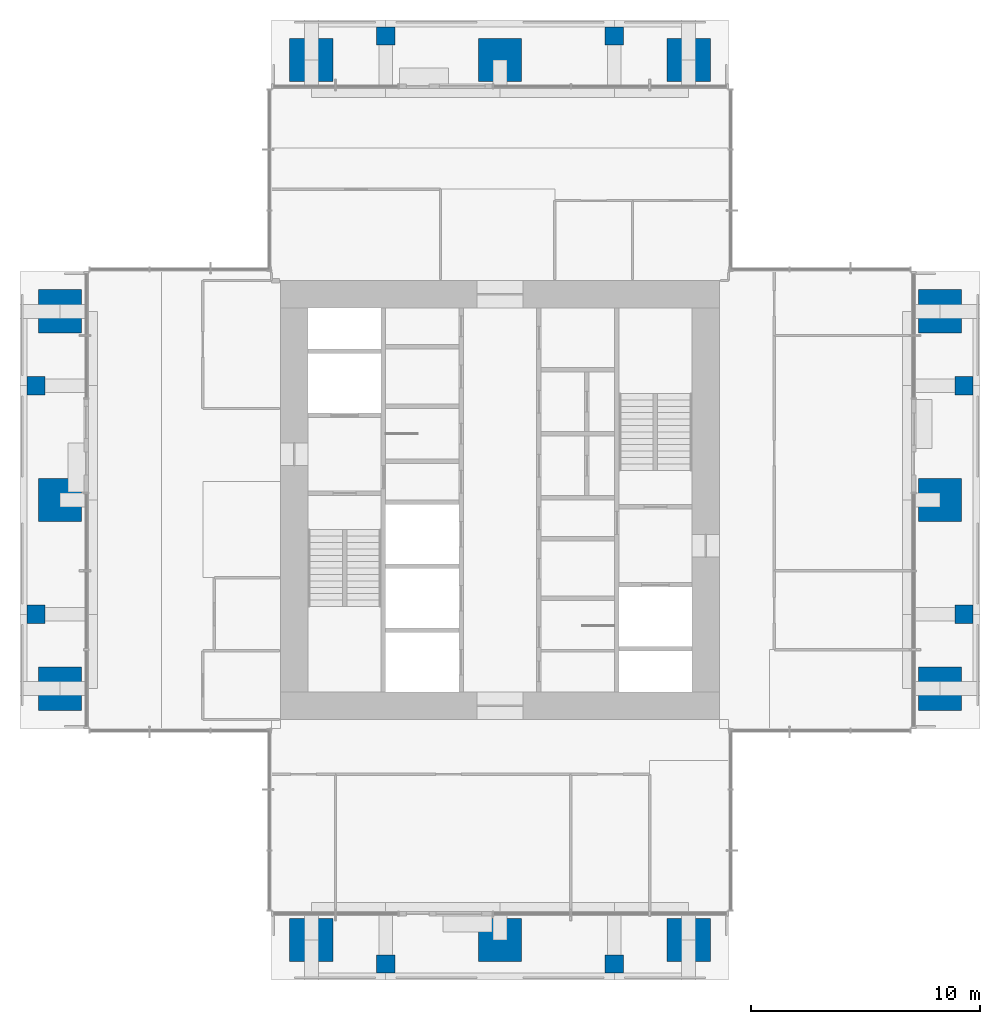
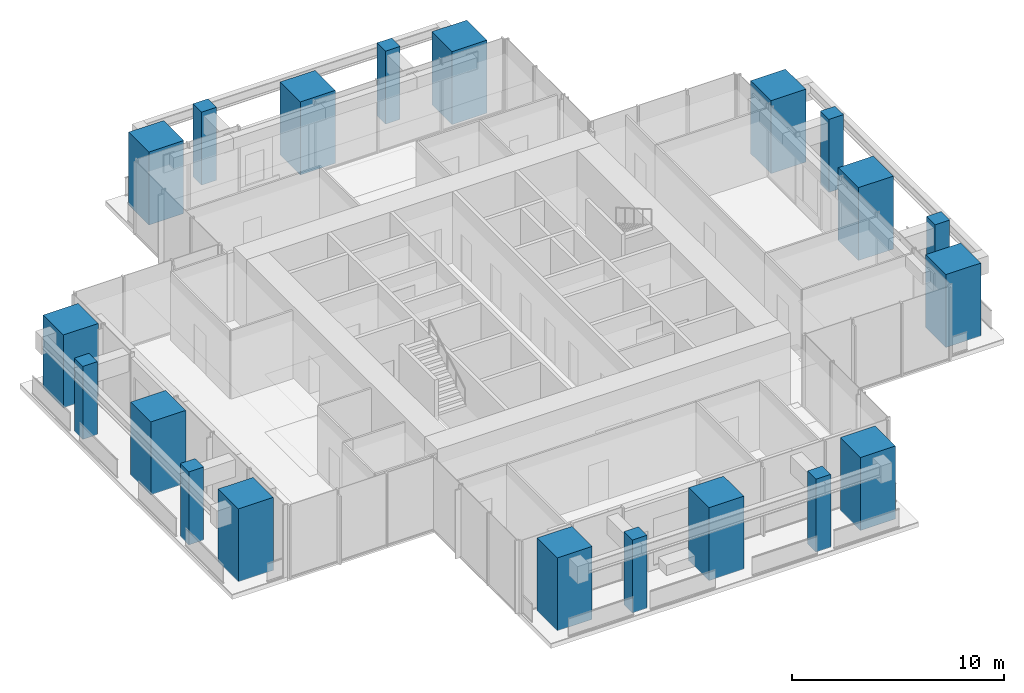
# One storey, part 1 of 12: 20 columns.
"""IFC4 building model written with IfcOpenShell, lengths in metres."""

from ifc_helpers import new_model, si_unit, direction, frame, origin, origin_2d, place, context, subcontext, project, spatial, rectangle, extrude, material, material_profile, profile_set, type_object, element, save


model = new_model("IFC4")

# Units and contexts
model_context = context("Model", 3, precision=1e-05, world=origin(), true_north=direction((0.0, 1.0)))
body_context = subcontext(model_context, "Body", "Model", "MODEL_VIEW")
ifc_project = project(units=[si_unit("LENGTHUNIT", "METRE"), si_unit("AREAUNIT", "SQUARE_METRE"), si_unit("VOLUMEUNIT", "CUBIC_METRE"), si_unit("PLANEANGLEUNIT", "RADIAN"), si_unit("MASSUNIT", "GRAM", prefix="KILO")], contexts=[model_context])

# Site, building, storey
site_placement = place(None, origin())
site = spatial("IfcSite", under=ifc_project, at=site_placement, CompositionType="ELEMENT")
building_placement = place(site_placement, origin())
building = spatial("IfcBuilding", under=site, at=building_placement, Name="Svetlomir Tower", CompositionType="ELEMENT")
storey_placement = place(building_placement, frame((0.0, 0.0, 248.199951171875)))
storey = spatial("IfcBuildingStorey", under=building, at=storey_placement, Name="L59", CompositionType="ELEMENT", Elevation=248.199951171875)

# Columns
ifc_material_1 = material(Name="Concrete C60/75", Category="concrete")
ifc_material_profile_1 = material_profile(ifc_material_1, rectangle(XDim=1.89990234375, YDim=1.89990234375, at=origin_2d()), Name="RC 1900x1900")
ifc_profile_set_1 = profile_set([ifc_material_profile_1], Name="Concrete C60/75")
column_type_1 = type_object("IfcColumnType", Name="COLUMN RC 1900x1900", PredefinedType="COLUMN", material=ifc_profile_set_1)
for number, where, z_axis, x_axis, name in (
    (1, (12.75, 1.75, 0.0), (0.0, 0.0, 1.0), (1.0, 0.0, 0.0), "Column 11/0 L59"),
    (2, (21.0, 1.75, 0.0), (0.0, 0.0, 1.0), (1.0, 0.0, 0.0), "Column 21/0 L59"),
    (3, (29.25, 1.75, 0.0), (0.0, 0.0, 1.0), (1.0, 0.0, 0.0), "Column 31/0 L59"),
    (4, (1.75, 12.75, 0.0), (0.0, 0.0, 1.0), (1.0, 0.0, 0.0), "Column 0/11 L59"),
    (5, (40.25, 12.75, 0.0), (0.0, 0.0, 1.0), (1.0, 0.0, 0.0), "Column 42/11 L59"),
    (6, (1.75, 21.0, 0.0), (0.0, 0.0, 1.0), (1.0, 0.0, 0.0), "Column 0/21 L59"),
    (7, (40.25, 21.0, 0.0), (0.0, 0.0, 1.0), (1.0, 0.0, 0.0), "Column 42/21 L59"),
    (8, (1.75, 29.25, 0.0), (0.0, 0.0, 1.0), (1.0, 0.0, 0.0), "Column 0/31 L59"),
    (9, (40.25, 29.25, 0.0), (0.0, 0.0, 1.0), (1.0, 0.0, 0.0), "Column 42/31 L59"),
    (10, (12.75, 40.25, 0.0), (0.0, 0.0, 1.0), (1.0, 0.0, 0.0), "Column 11/42 L59"),
    (11, (21.0, 40.25, 0.0), (0.0, 0.0, 1.0), (1.0, 0.0, 0.0), "Column 21/42 L59"),
    (12, (29.25, 40.25, 0.0), (0.0, 0.0, 1.0), (1.0, 0.0, 0.0), "Column 31/42 L59"),
):
    element("IfcColumn", number, at=place(storey_placement, frame(where, z_axis=z_axis, x_axis=x_axis)), inside=storey, type_object=column_type_1, Name=name, PredefinedType="COLUMN", context=body_context, shape_type="SweptSolid", body=[
        extrude(rectangle(XDim=1.89990234375, YDim=1.89990234375, at=origin_2d()), origin(), (0.0, 0.0, 1.0), 4.199951171875),
    ])
ifc_material_2 = material(Name="Concrete C60/75", Category="concrete")
ifc_material_profile_2 = material_profile(ifc_material_2, rectangle(XDim=0.800048828125, YDim=0.800048828125, at=origin_2d()), Name="RC 800x800")
ifc_profile_set_2 = profile_set([ifc_material_profile_2], Name="Concrete C60/75")
column_type_2 = type_object("IfcColumnType", Name="COLUMN RC 800x800", PredefinedType="COLUMN", material=ifc_profile_set_2)
for number, where, z_axis, x_axis, name in (
    (13, (16.0, 0.699951171875, 0.0), (0.0, 0.0, 1.0), (1.0, 0.0, 0.0), "Column 16/0 L59"),
    (14, (26.0, 0.699951171875, 0.0), (0.0, 0.0, 1.0), (1.0, 0.0, 0.0), "Column 26/0 L59"),
    (15, (0.699951171875, 16.0, 0.0), (0.0, 0.0, 1.0), (1.0, 0.0, 0.0), "Column 0/16 L59"),
    (16, (41.300048828125, 16.0, 0.0), (0.0, 0.0, 1.0), (1.0, 0.0, 0.0), "Column 42/16 L59"),
    (17, (0.699951171875, 26.0, 0.0), (0.0, 0.0, 1.0), (1.0, 0.0, 0.0), "Column 0/26 L59"),
    (18, (41.300048828125, 26.0, 0.0), (0.0, 0.0, 1.0), (1.0, 0.0, 0.0), "Column 42/26 L59"),
    (19, (16.0, 41.300048828125, 0.0), (0.0, 0.0, 1.0), (1.0, 0.0, 0.0), "Column 16/42 L59"),
    (20, (26.0, 41.300048828125, 0.0), (0.0, 0.0, 1.0), (1.0, 0.0, 0.0), "Column 26/42 L59"),
):
    element("IfcColumn", number, at=place(storey_placement, frame(where, z_axis=z_axis, x_axis=x_axis)), inside=storey, type_object=column_type_2, Name=name, PredefinedType="COLUMN", context=body_context, shape_type="SweptSolid", body=[
        extrude(rectangle(XDim=0.800048828125, YDim=0.800048828125, at=origin_2d()), origin(), (0.0, 0.0, 1.0), 4.199951171875),
    ])

save(model, "model.ifc")
